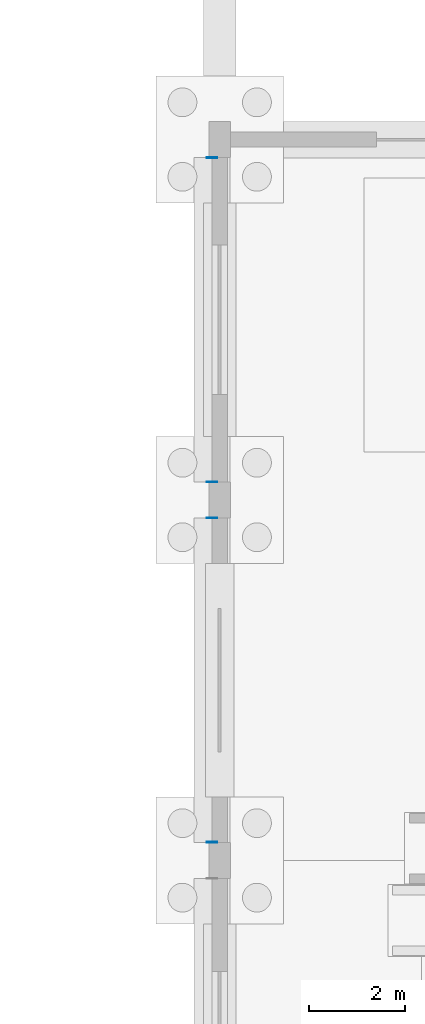
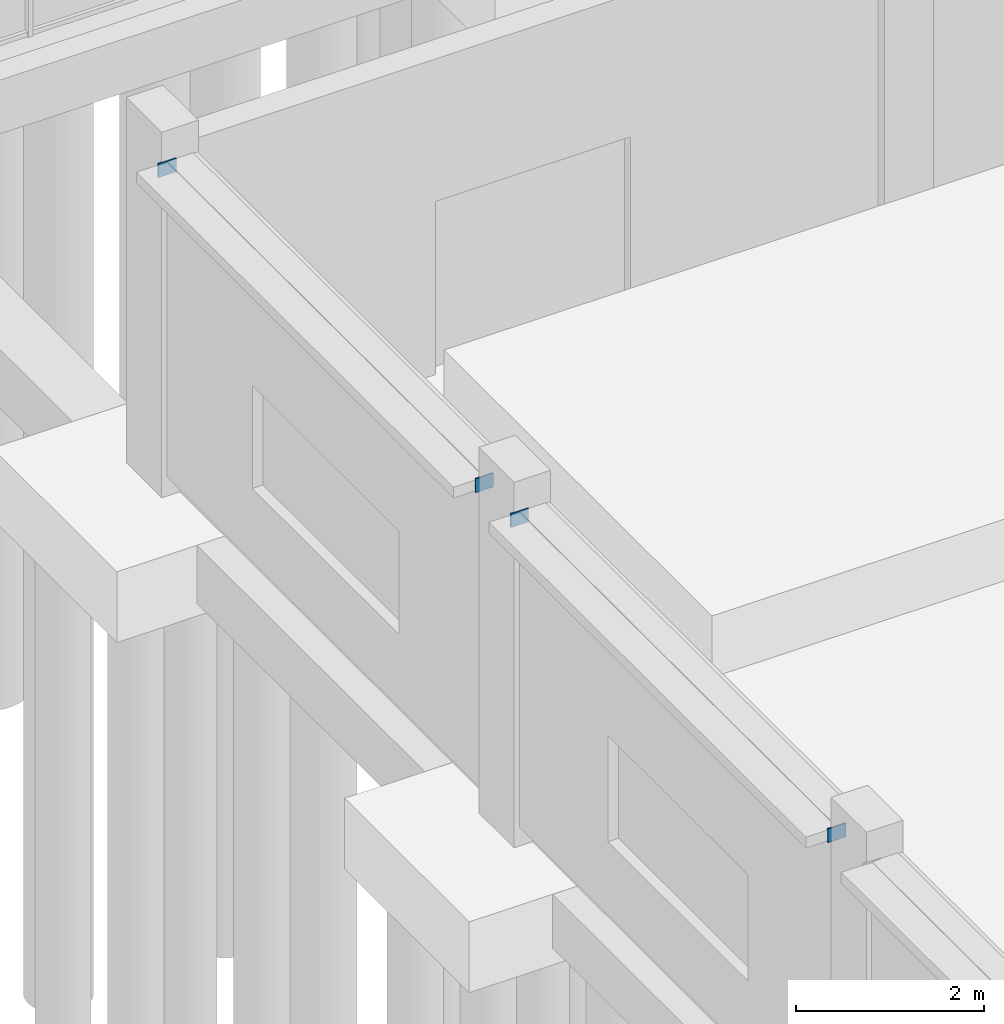
# One storey, part 60 of 93: 4 plates.
"""IFC4 building model written with IfcOpenShell, lengths in metres."""

from ifc_helpers import new_model, si_unit, direction, frame, origin, origin_2d, place, context, subcontext, project, spatial, rectangle, extrude, material, layer, layer_set, type_object, element, save


model = new_model("IFC4")

# Units and contexts
model_context = context("Model", 3, precision=1e-05, world=origin(), true_north=direction((0.0, 1.0)))
body_context = subcontext(model_context, "Body", "Model", "MODEL_VIEW")
ifc_project = project(units=[si_unit("LENGTHUNIT", "METRE"), si_unit("AREAUNIT", "SQUARE_METRE"), si_unit("VOLUMEUNIT", "CUBIC_METRE"), si_unit("PLANEANGLEUNIT", "RADIAN"), si_unit("MASSUNIT", "GRAM", prefix="KILO")], contexts=[model_context])

# Site, building, storey
site_placement = place(None, origin())
site = spatial("IfcSite", under=ifc_project, at=site_placement, CompositionType="ELEMENT")
building_placement = place(site_placement, origin())
building = spatial("IfcBuilding", under=site, at=building_placement, Name="Marnridge Secondary College", CompositionType="ELEMENT")
storey_placement = place(building_placement, origin())
storey = spatial("IfcBuildingStorey", under=building, at=storey_placement, Name="L00", CompositionType="ELEMENT", Elevation=0.0)

# Plates
ifc_material = material(Name="Structural steel plate Grade 350 (AS/NZS 3678, fy = 350 MPa <=12mm, 340 MPa 12-20mm, 330 MPa 20-50mm)", Category="steel")
ifc_layer = layer(ifc_material, 0.02392578125)
ifc_layer_set = layer_set([ifc_layer], Name="PT-GUS-GSN2")
plate_type = type_object("IfcPlateType", Name="PT-GUS-GSN2", PredefinedType="USERDEFINED", material=ifc_layer_set)
for number, where, z_axis, x_axis, name in (
    (1, (62.840087890625, 15.375, 3.93017578125), (0.0, 0.0, 1.0), (1.0, 0.0, 0.0), "Solar fin end bracket plate SFN-0014-BP1"),
    (2, (62.840087890625, 22.125, 3.93017578125), (0.0, 0.0, 1.0), (1.0, 0.0, 0.0), "Solar fin end bracket plate SFN-0014-BP2"),
    (3, (62.840087890625, 22.875, 3.93017578125), (0.0, 0.0, 1.0), (1.0, 0.0, 0.0), "Solar fin end bracket plate SFN-0015-BP1"),
    (4, (62.840087890625, 29.625, 3.93017578125), (0.0, 0.0, 1.0), (1.0, 0.0, 0.0), "Solar fin end bracket plate SFN-0015-BP2"),
):
    element("IfcPlate", number, at=place(storey_placement, frame(where, z_axis=z_axis, x_axis=x_axis)), inside=storey, type_object=plate_type, Name=name, ObjectType="GUSSET PLATE", PredefinedType="USERDEFINED", context=body_context, shape_type="SweptSolid", body=[
        extrude(rectangle(XDim=0.219970703125, YDim=0.01806640625, at=origin_2d()), origin(), (0.0, 0.0, 1.0), 0.179931640625),
    ])

save(model, "model.ifc")
